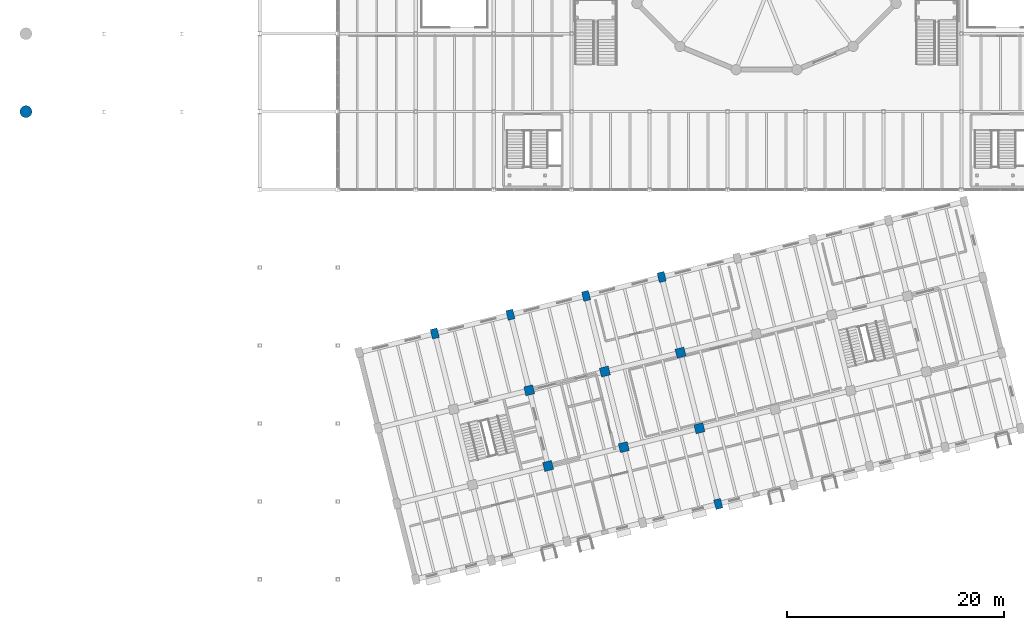
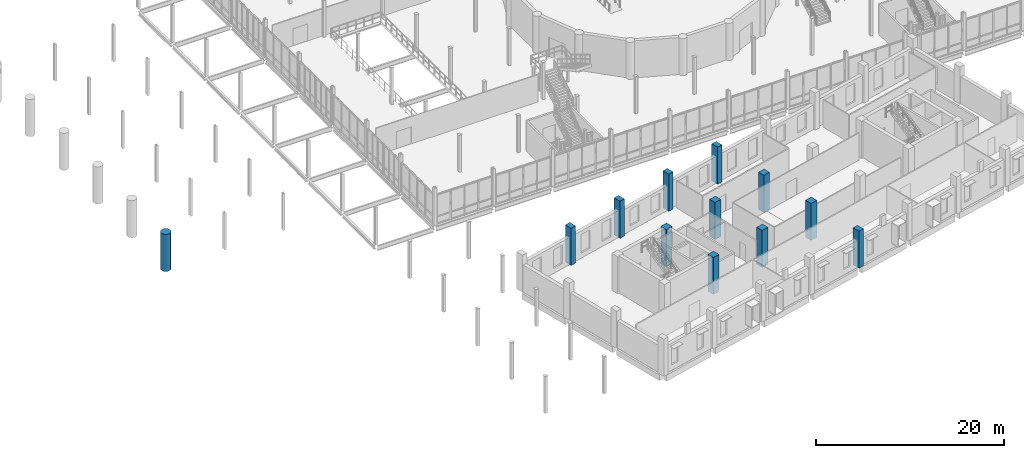
# One storey, part 2 of 77: 12 columns.
"""IFC4 building model written with IfcOpenShell, lengths in metres."""

from ifc_helpers import new_model, si_unit, direction, frame, origin, origin_2d, place, context, subcontext, project, spatial, rectangle, circle, extrude, material, material_profile, profile_set, type_object, element, save


model = new_model("IFC4")

# Units and contexts
model_context = context("Model", 3, precision=1e-05, world=origin(), true_north=direction((0.0, 1.0)))
body_context = subcontext(model_context, "Body", "Model", "MODEL_VIEW")
ifc_project = project(units=[si_unit("LENGTHUNIT", "METRE"), si_unit("AREAUNIT", "SQUARE_METRE"), si_unit("VOLUMEUNIT", "CUBIC_METRE"), si_unit("PLANEANGLEUNIT", "RADIAN"), si_unit("MASSUNIT", "GRAM", prefix="KILO")], contexts=[model_context])

# Site, building, storey
site_placement = place(None, origin())
site = spatial("IfcSite", under=ifc_project, at=site_placement, CompositionType="ELEMENT")
building_placement = place(site_placement, origin())
building = spatial("IfcBuilding", under=site, at=building_placement, Name="Qiaolan Assembly House", CompositionType="ELEMENT")
storey_placement = place(building_placement, frame((0.0, 0.0, 5.39990234375)))
storey = spatial("IfcBuildingStorey", under=building, at=storey_placement, Name="L01", CompositionType="ELEMENT", Elevation=5.39990234375)

# Columns
ifc_material_1 = material(Name="Concrete C50/60", Category="concrete")
ifc_material_profile_1 = material_profile(ifc_material_1, rectangle(XDim=0.85009765625, YDim=0.85009765625, at=origin_2d()), Name="RC 850x850")
ifc_profile_set_1 = profile_set([ifc_material_profile_1], Name="Concrete C50/60")
column_type_1 = type_object("IfcColumnType", Name="COL-RC-850", PredefinedType="COLUMN", material=ifc_profile_set_1)
for number, where, z_axis, x_axis, name in (
    (1, (48.23046875, 10.4697265625, 0.0), (0.0, 0.0, 1.0), (0.970295726276, 0.2419218956, 0.0), "RC-04 splayed column SE L01"),
    (2, (46.488525390625, 17.4560546875, 0.0), (0.0, 0.0, 1.0), (0.970295726276, 0.2419218956, 0.0), "RC-04 splayed column SE L01"),
    (3, (55.216552734375, 12.211669921875, 0.0), (0.0, 0.0, 1.0), (0.970295726276, 0.2419218956, 0.0), "RC-04 splayed column SE L01"),
    (4, (53.474609375, 19.19775390625, 0.0), (0.0, 0.0, 1.0), (0.970295726276, 0.2419218956, 0.0), "RC-04 splayed column SE L01"),
    (5, (62.20263671875, 13.953369140625, 0.0), (0.0, 0.0, 1.0), (0.970295726276, 0.2419218956, 0.0), "RC-04 splayed column SE L01"),
    (6, (60.4609375, 20.939697265625, 0.0), (0.0, 0.0, 1.0), (0.970295726276, 0.2419218956, 0.0), "RC-04 splayed column SE L01"),
):
    element("IfcColumn", number, at=place(storey_placement, frame(where, z_axis=z_axis, x_axis=x_axis)), inside=storey, type_object=column_type_1, Name=name, PredefinedType="COLUMN", context=body_context, shape_type="SweptSolid", body=[
        extrude(rectangle(XDim=0.85009765625, YDim=0.85009765625, at=origin_2d()), origin(), (0.0, 0.0, 1.0), 4.800048828125),
    ])
ifc_material_profile_2 = material_profile(ifc_material_1, rectangle(XDim=0.64990234375, YDim=0.89990234375, at=origin_2d()), Name="RC 900x650")
ifc_profile_set_2 = profile_set([ifc_material_profile_2], Name="Concrete C50/60")
column_type_2 = type_object("IfcColumnType", Name="COL-RC-900x650", PredefinedType="COLUMN", material=ifc_profile_set_2)
for number, where, z_axis, x_axis, name in (
    (7, (37.760498046875, 22.7001953125, 0.0), (0.0, 0.0, 1.0), (0.970295726276, 0.2419218956, 0.0), "RC-12 splayed column SE L01"),
    (8, (44.746826171875, 24.442138671875, 0.0), (0.0, 0.0, 1.0), (0.970295726276, 0.2419218956, 0.0), "RC-12 splayed column SE L01"),
    (9, (51.73291015625, 26.183837890625, 0.0), (0.0, 0.0, 1.0), (0.970295726276, 0.2419218956, 0.0), "RC-12 splayed column SE L01"),
    (10, (63.944580078125, 6.96728515625, 0.0), (0.0, 0.0, 1.0), (0.970295726276, 0.2419218956, 0.0), "RC-12 splayed column SE L01"),
    (11, (58.718994140625, 27.92578125, 0.0), (0.0, 0.0, 1.0), (0.970295726276, 0.2419218956, 0.0), "RC-12 splayed column SE L01"),
):
    element("IfcColumn", number, at=place(storey_placement, frame(where, z_axis=z_axis, x_axis=x_axis)), inside=storey, type_object=column_type_2, Name=name, PredefinedType="COLUMN", context=body_context, shape_type="SweptSolid", body=[
        extrude(rectangle(XDim=0.64990234375, YDim=0.89990234375, at=origin_2d()), origin(), (0.0, 0.0, 1.0), 4.800048828125),
    ])
ifc_material_2 = material(Name="Precast concrete C50/60", Category="concrete")
ifc_material_profile_3 = material_profile(ifc_material_2, circle(Radius=0.550048828125, at=origin_2d()), Name="CIRC D1100")
ifc_profile_set_3 = profile_set([ifc_material_profile_3], Name="Precast concrete C50/60")
column_type_3 = type_object("IfcColumnType", Name="PIL-PORTICO-D1100", PredefinedType="PILASTER", material=ifc_profile_set_3)
column_placement = place(storey_placement, frame((0.0, 43.199951171875, 0.0), z_axis=(0.0, 0.0, 1.0), x_axis=(1.0, 0.0, 0.0)))
element("IfcColumn", 12, at=column_placement, inside=storey, type_object=column_type_3, Name="PL-01 portico colonnade column L01", PredefinedType="PILASTER", context=body_context, shape_type="SweptSolid", body=[
    extrude(circle(Radius=0.550048828125, at=origin_2d()), origin(), (0.0, 0.0, 1.0), 4.800048828125),
])

save(model, "model.ifc")
